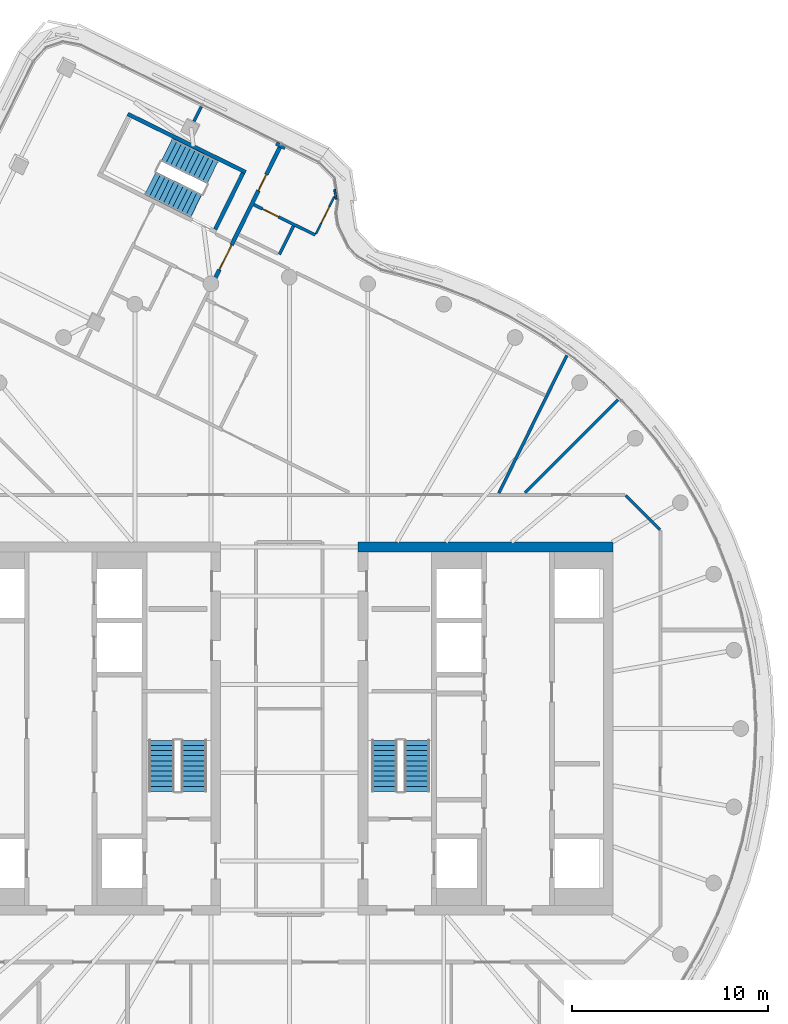
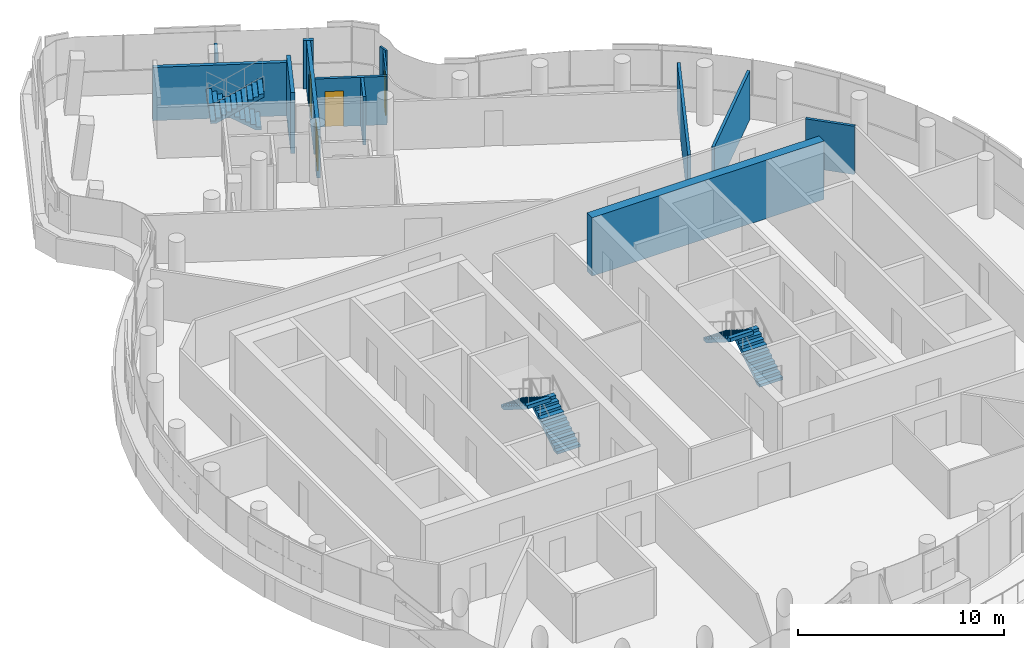
# One storey, part 16 of 21: 13 walls, 6 stair flights, 4 doors, 4 openings, 3 elements without a shape of their own.
"""IFC4 building model written with IfcOpenShell, lengths in metres."""

from ifc_helpers import new_model, si_unit, direction, frame, frame_2d, origin, place, context, subcontext, project, spatial, polyline, rectangle, outline, extrude, material, layer, layer_set, type_object, element, fill, aggregate, save


model = new_model("IFC4")

# Units and contexts
model_context = context("Model", 3, precision=1e-05, world=origin(), true_north=direction((0.0, 1.0)))
body_context = subcontext(model_context, "Body", "Model", "MODEL_VIEW")
ifc_project = project(units=[si_unit("LENGTHUNIT", "METRE"), si_unit("AREAUNIT", "SQUARE_METRE"), si_unit("VOLUMEUNIT", "CUBIC_METRE"), si_unit("PLANEANGLEUNIT", "RADIAN"), si_unit("MASSUNIT", "GRAM", prefix="KILO")], contexts=[model_context])

# Site, building, storey
site_placement = place(None, origin())
site = spatial("IfcSite", under=ifc_project, at=site_placement, CompositionType="ELEMENT")
building_placement = place(site_placement, origin())
building = spatial("IfcBuilding", under=site, at=building_placement, Name="Tamarind Cross Interchange Tower", CompositionType="ELEMENT")
storey_placement = place(building_placement, frame((0.0, 0.0, 264.0)))
storey = spatial("IfcBuildingStorey", under=building, at=storey_placement, Name="L67", CompositionType="ELEMENT", Elevation=264.0)

# Wall
ifc_material_1 = material(Name="Concrete C50", Category="concrete")
ifc_layer_1 = layer(ifc_material_1, 0.5)
ifc_layer_set_1 = layer_set([ifc_layer_1], Name="Concrete C50")
wall_type_1 = type_object("IfcWallType", Name="Core wall 500 mm Concrete C50", PredefinedType="SHEAR", material=ifc_layer_set_1)
wall_1_placement = place(storey_placement, frame((16.5, 9.25, 0.0), z_axis=(0.0, 0.0, 1.0), x_axis=(-1.0, 0.0, 0.0)))
element("IfcWall", 1, at=wall_1_placement, inside=storey, type_object=wall_type_1, Name="Core wall CWL-L67-E-NE", PredefinedType="SHEAR", context=body_context, shape_type="SweptSolid", body=[
    extrude(rectangle(XDim=13.0, YDim=0.5, at=frame_2d((6.5, 0.0))), origin(), (0.0, 0.0, 1.0), 3.4599609375),
])

# Wall, opening, door
ifc_material_2 = material(Name="Gypsum board partition on steel studs", Category="steel")
ifc_layer_2 = layer(ifc_material_2, 0.10009765625)
ifc_layer_set_2 = layer_set([ifc_layer_2], Name="Gypsum board partition on steel studs")
wall_type_2 = type_object("IfcWallType", Name="Partition 100 mm EI 90", PredefinedType="PARTITIONING", material=ifc_layer_set_2)
wall_2_placement = place(storey_placement, frame((1.358154296875, 25.204345703125, 0.0), z_axis=(0.0, 0.0, 1.0), x_axis=(0.442491171614, 0.896772860341, 0.0)))
wall_2 = element("IfcWall", 2, at=wall_2_placement, inside=storey, type_object=wall_type_2, Name="Partition L67-037", PredefinedType="PARTITIONING", context=body_context, shape_type="SweptSolid", body=[
    extrude(rectangle(XDim=2.112060546875, YDim=0.10009765625, at=frame_2d((1.05615234375, 0.0))), origin(), (0.0, 0.0, 1.0), 2.864013671875),
])
opening_1_placement = place(wall_2_placement, frame((0.625, 0.0, 0.0)))
opening_1 = element("IfcOpeningElement", 3, at=opening_1_placement, cuts=wall_2, Name="Opening D19", PredefinedType="OPENING", context=body_context, shape_type="SweptSolid", body=[
    extrude(rectangle(XDim=0.89990234375, YDim=2.10009765625, at=frame_2d((0.449951171875, 1.050048828125))), frame((0.0, 0.06005859375, 0.0), z_axis=(0.0, -1.0, 0.0), x_axis=(1.0, 0.0, 0.0)), (0.0, 0.0, 1.0), 0.1201171875),
])
ifc_material_3 = material(Name="Fire-resisting door set")
door_type_1 = type_object("IfcDoorType", Name="Interior door 900 x 2100 FD60S", OperationType="SINGLE_SWING_LEFT", PredefinedType="DOOR", material=ifc_material_3)
door_1_placement = place(opening_1_placement, origin())
door_1 = element("IfcDoor", 4, at=door_1_placement, inside=storey, type_object=door_type_1, Name="Door D19", OperationType="SINGLE_SWING_LEFT", OverallHeight=2.10009765625, OverallWidth=0.89990234375, PredefinedType="DOOR", context=body_context, shape_type="SweptSolid", body=[
    extrude(rectangle(XDim=0.89990234375, YDim=2.10009765625, at=frame_2d((0.449951171875, 1.050048828125))), frame((0.0, 0.02490234375, 0.0), z_axis=(0.0, -1.0, 0.0), x_axis=(1.0, 0.0, 0.0)), (0.0, 0.0, 1.0), 0.050048828125),
])
fill(opening_1, door_1)

# Walls
wall_3_placement = place(storey_placement, frame((2.388427734375, 26.9638671875, 0.0), z_axis=(0.0, 0.0, 1.0), x_axis=(-0.161151313498, 0.98692971085, 0.0)))
element("IfcWall", 5, at=wall_3_placement, inside=storey, type_object=wall_type_2, Name="Partition L67-050", PredefinedType="PARTITIONING", context=body_context, shape_type="SweptSolid", body=[
    extrude(rectangle(XDim=0.5, YDim=0.10009765625, at=frame_2d((0.25, 0.0))), origin(), (0.0, 0.0, 1.0), 2.864013671875),
])
ifc_layer_3 = layer(ifc_material_2, 0.14990234375)
ifc_layer_set_3 = layer_set([ifc_layer_3], Name="Gypsum board partition on steel studs")
wall_type_3 = type_object("IfcWallType", Name="Partition 150 mm EI 120", PredefinedType="PARTITIONING", material=ifc_layer_set_3)
wall_4_placement = place(storey_placement, frame((17.12841796875, 11.87158203125, 0.0), z_axis=(0.0, 0.0, 1.0), x_axis=(0.707106781187, -0.707106781187, 0.0)))
element("IfcWall", 6, at=wall_4_placement, inside=storey, type_object=wall_type_3, Name="Partition L67-004", PredefinedType="PARTITIONING", context=body_context, shape_type="SweptSolid", body=[
    extrude(rectangle(XDim=2.465087890625, YDim=0.14990234375, at=frame_2d((1.232421875, 0.0))), origin(), (0.0, 0.0, 1.0), 2.864013671875),
])

# Wall, opening, door
wall_5_placement = place(storey_placement, frame((-1.808837890625, 26.6845703125, 0.0), z_axis=(0.0, 0.0, 1.0), x_axis=(0.896582193995, -0.44287737514, 0.0)))
wall_5 = element("IfcWall", 7, at=wall_5_placement, inside=storey, type_object=wall_type_3, Name="Partition L67-015", PredefinedType="PARTITIONING", context=body_context, shape_type="SweptSolid", body=[
    extrude(rectangle(XDim=3.494873046875, YDim=0.14990234375, at=frame_2d((1.74755859375, 0.0))), origin(), (0.0, 0.0, 1.0), 2.864013671875),
])
opening_2_placement = place(wall_5_placement, frame((0.4951171875, 0.0, 0.0)))
opening_2 = element("IfcOpeningElement", 8, at=opening_2_placement, cuts=wall_5, Name="Opening D05", PredefinedType="OPENING", context=body_context, shape_type="SweptSolid", body=[
    extrude(rectangle(XDim=0.89990234375, YDim=2.10009765625, at=frame_2d((0.449951171875, 1.050048828125))), frame((0.0, 0.0849609375, 0.0), z_axis=(0.0, -1.0, 0.0), x_axis=(1.0, 0.0, 0.0)), (0.0, 0.0, 1.0), 0.169921875),
])
door_2_placement = place(opening_2_placement, frame((0.89990234375, 0.0, 0.0), z_axis=(0.0, 0.0, 1.0), x_axis=(-1.0, 0.0, 0.0)))
door_2 = element("IfcDoor", 9, at=door_2_placement, inside=storey, type_object=door_type_1, Name="Door D05", OperationType="SINGLE_SWING_LEFT", OverallHeight=2.10009765625, OverallWidth=0.89990234375, PredefinedType="DOOR", context=body_context, shape_type="SweptSolid", body=[
    extrude(rectangle(XDim=0.89990234375, YDim=2.10009765625, at=frame_2d((0.449951171875, 1.050048828125))), frame((0.0, 0.02490234375, 0.0), z_axis=(0.0, -1.0, 0.0), x_axis=(1.0, 0.0, 0.0)), (0.0, 0.0, 1.0), 0.050048828125),
])
fill(opening_2, door_2)

# Walls
wall_6_placement = place(storey_placement, frame((12.009521484375, 12.009521484375, 0.0), z_axis=(0.0, 0.0, 1.0), x_axis=(0.707106781187, 0.707106781187, 0.0)))
element("IfcWall", 10, at=wall_6_placement, inside=storey, type_object=wall_type_3, Name="Partition L67-028", PredefinedType="PARTITIONING", context=body_context, shape_type="SweptSolid", body=[
    extrude(rectangle(XDim=6.690673828125, YDim=0.14990234375, at=frame_2d((3.34521484375, 0.0))), origin(), (0.0, 0.0, 1.0), 2.864013671875),
])
wall_7_placement = place(storey_placement, frame((-4.85791015625, 30.917236328125, 0.0), z_axis=(0.0, 0.0, 1.0), x_axis=(0.442510232484, 0.896763454957, 0.0)))
element("IfcWall", 11, at=wall_7_placement, inside=storey, type_object=wall_type_3, Name="Partition L67-032", PredefinedType="PARTITIONING", context=body_context, shape_type="SweptSolid", body=[
    extrude(rectangle(XDim=0.852294921875, YDim=0.14990234375, at=frame_2d((0.42626953125, 0.0))), origin(), (0.0, 0.0, 1.0), 2.864013671875),
])
wall_8_placement = place(storey_placement, frame((-0.504150390625, 24.14453125, 0.0), z_axis=(0.0, 0.0, 1.0), x_axis=(0.442337199673, 0.896848817686, 0.0)))
element("IfcWall", 12, at=wall_8_placement, inside=storey, type_object=wall_type_3, Name="Partition L67-039", PredefinedType="PARTITIONING", context=body_context, shape_type="SweptSolid", body=[
    extrude(rectangle(XDim=1.624267578125, YDim=0.14990234375, at=frame_2d((0.81201171875, 0.0))), origin(), (0.0, 0.0, 1.0), 2.864013671875),
])
wall_9_placement = place(storey_placement, frame((10.67236328125, 11.98974609375, 0.0), z_axis=(0.0, 0.0, 1.0), x_axis=(0.442549118131, 0.896744265686, 0.0)))
element("IfcWall", 13, at=wall_9_placement, inside=storey, type_object=wall_type_3, Name="Partition L67-040", PredefinedType="PARTITIONING", context=body_context, shape_type="SweptSolid", body=[
    extrude(rectangle(XDim=7.8193359375, YDim=0.14990234375, at=frame_2d((3.90966796875, 0.0))), origin(), (0.0, 0.0, 1.0), 2.864013671875),
])

# Wall, openings, doors
ifc_layer_4 = layer(ifc_material_2, 0.199951171875)
ifc_layer_set_4 = layer_set([ifc_layer_4], Name="Gypsum board partition on steel studs")
wall_type_4 = type_object("IfcWallType", Name="Partition 200 mm EI 180", PredefinedType="PARTITIONING", material=ifc_layer_set_4)
wall_10_placement = place(storey_placement, frame((-3.830810546875, 22.823486328125, 0.0), z_axis=(0.0, 0.0, 1.0), x_axis=(0.442502887837, 0.896767079155, 0.0)))
wall_10 = element("IfcWall", 14, at=wall_10_placement, inside=storey, type_object=wall_type_4, Name="Partition L67-035", PredefinedType="PARTITIONING", context=body_context, shape_type="SweptSolid", body=[
    extrude(rectangle(XDim=7.555908203125, YDim=0.199951171875, at=frame_2d((3.77783203125, 0.0))), origin(), (0.0, 0.0, 1.0), 2.864013671875),
])
opening_3_placement = place(wall_10_placement, frame((0.6171875, 0.0, 0.0)))
opening_3 = element("IfcOpeningElement", 15, at=opening_3_placement, cuts=wall_10, Name="Opening D16", PredefinedType="OPENING", context=body_context, shape_type="SweptSolid", body=[
    extrude(rectangle(XDim=1.39990234375, YDim=2.10009765625, at=frame_2d((0.699951171875, 1.050048828125))), frame((0.0, 0.10986328125, 0.0), z_axis=(0.0, -1.0, 0.0), x_axis=(1.0, 0.0, 0.0)), (0.0, 0.0, 1.0), 0.219970703125),
])
opening_4_placement = place(wall_10_placement, frame((5.107177734375, 0.0, 0.0)))
opening_4 = element("IfcOpeningElement", 16, at=opening_4_placement, cuts=wall_10, Name="Opening D17", PredefinedType="OPENING", context=body_context, shape_type="SweptSolid", body=[
    extrude(rectangle(XDim=0.89990234375, YDim=2.10009765625, at=frame_2d((0.449951171875, 1.050048828125))), frame((0.0, 0.10986328125, 0.0), z_axis=(0.0, -1.0, 0.0), x_axis=(1.0, 0.0, 0.0)), (0.0, 0.0, 1.0), 0.219970703125),
])
door_type_2 = type_object("IfcDoorType", Name="Interior door 1400 x 2100 FD120S", OperationType="DOUBLE_DOOR_SINGLE_SWING", PredefinedType="DOOR", material=ifc_material_3)
door_3_placement = place(opening_3_placement, frame((1.39990234375, 0.0, 0.0), z_axis=(0.0, 0.0, 1.0), x_axis=(-1.0, 0.0, 0.0)))
door_3 = element("IfcDoor", 17, at=door_3_placement, inside=storey, type_object=door_type_2, Name="Door D16", OperationType="DOUBLE_DOOR_SINGLE_SWING", OverallHeight=2.10009765625, OverallWidth=1.39990234375, PredefinedType="DOOR", context=body_context, shape_type="SweptSolid", body=[
    extrude(rectangle(XDim=1.39990234375, YDim=2.10009765625, at=frame_2d((0.699951171875, 1.050048828125))), frame((0.0, 0.02490234375, 0.0), z_axis=(0.0, -1.0, 0.0), x_axis=(1.0, 0.0, 0.0)), (0.0, 0.0, 1.0), 0.050048828125),
])
fill(opening_3, door_3)
door_type_3 = type_object("IfcDoorType", Name="Interior door 900 x 2100 FD120S", OperationType="SINGLE_SWING_LEFT", PredefinedType="DOOR", material=ifc_material_3)
door_4_placement = place(opening_4_placement, origin())
door_4 = element("IfcDoor", 18, at=door_4_placement, inside=storey, type_object=door_type_3, Name="Door D17", OperationType="SINGLE_SWING_LEFT", OverallHeight=2.10009765625, OverallWidth=0.89990234375, PredefinedType="DOOR", context=body_context, shape_type="SweptSolid", body=[
    extrude(rectangle(XDim=0.89990234375, YDim=2.10009765625, at=frame_2d((0.449951171875, 1.050048828125))), frame((0.0, 0.02490234375, 0.0), z_axis=(0.0, -1.0, 0.0), x_axis=(1.0, 0.0, 0.0)), (0.0, 0.0, 1.0), 0.050048828125),
])
fill(opening_4, door_4)

# Walls
wall_11_placement = place(storey_placement, frame((-0.21875, 29.578369140625, 0.0), z_axis=(0.0, 0.0, 1.0), x_axis=(-0.89675936923, 0.442518512267, 0.0)))
element("IfcWall", 19, at=wall_11_placement, inside=storey, type_object=wall_type_4, Name="Partition L67-051", PredefinedType="PARTITIONING", context=body_context, shape_type="SweptSolid", body=[
    extrude(rectangle(XDim=0.499755859375, YDim=0.199951171875, at=frame_2d((0.25, 0.0))), origin(), (0.0, 0.0, 1.0), 2.864013671875),
])
ifc_material_4 = material(Name="Concrete C40", Category="concrete")
ifc_layer_5 = layer(ifc_material_4, 0.199951171875)
ifc_layer_set_5 = layer_set([ifc_layer_5], Name="Concrete C40")
wall_type_5 = type_object("IfcWallType", Name="Stair shaft wall 200 mm Concrete C40", PredefinedType="SHEAR", material=ifc_layer_set_5)
wall_12_placement = place(storey_placement, frame((-2.224365234375, 28.339111328125, -0.139892578125), z_axis=(0.0, 0.0, 1.0), x_axis=(-0.896739946081, 0.442557870907, 0.0)))
element("IfcWall", 20, at=wall_12_placement, inside=storey, type_object=wall_type_5, Name="Core wall CWL-L67-ST4-C", PredefinedType="SHEAR", context=body_context, shape_type="SweptSolid", body=[
    extrude(rectangle(XDim=6.699951171875, YDim=0.199951171875, at=frame_2d((3.35009765625, 0.0))), origin(), (0.0, 0.0, 1.0), 3.15380859375),
])
wall_13_placement = place(storey_placement, frame((-2.3583984375, 28.29345703125, -0.139892578125), z_axis=(0.0, 0.0, 1.0), x_axis=(-0.442537962391, -0.89674977103, 0.0)))
element("IfcWall", 21, at=wall_13_placement, inside=storey, type_object=wall_type_5, Name="Core wall CWL-L67-ST4-CE", PredefinedType="SHEAR", context=body_context, shape_type="SweptSolid", body=[
    extrude(rectangle(XDim=3.19970703125, YDim=0.199951171875, at=frame_2d((1.599853515625, 0.0))), origin(), (0.0, 0.0, 1.0), 3.599853515625),
])

# Stair, stair flights
ifc_material_5 = material(Name="Exit stair")
stair_type = type_object("IfcStairType", Name="Exit stair", PredefinedType="HALF_TURN_STAIR", material=ifc_material_5)
stair_1_placement = place(storey_placement, origin())
stair_1 = element("IfcStair", 22, at=stair_1_placement, inside=storey, type_object=stair_type, Name="L67 exit stair ST1", PredefinedType="HALF_TURN_STAIR")
ifc_material_6 = material(Name="Exit stair flight")
stair_flight_type = type_object("IfcStairFlightType", Name="Exit stair flight", PredefinedType="STRAIGHT", material=ifc_material_6)
stair_flight_1_placement = place(storey_placement, frame((-4.85009765625, -3.199951171875, 0.0), z_axis=(0.0, 0.0, 1.0), x_axis=(0.0, 1.0, 0.0)))
stair_flight_1 = element("IfcStairFlight", 23, at=stair_flight_1_placement, type_object=stair_flight_type, Name="ST1 flight 1", NumberOfRisers=11, NumberOfTreads=10, PredefinedType="STRAIGHT", RiserHeight=0.163636364, TreadLength=0.26, context=body_context, shape_type="SweptSolid", body=[
    extrude(outline(polyline([(0.0, 0.0), (0.0, 0.16357421875), (0.260009765625, 0.16357421875), (0.260009765625, 0.327392578125), (0.52001953125, 0.327392578125), (0.52001953125, 0.490966796875), (0.780029296875, 0.490966796875), (0.780029296875, 0.654541015625), (1.0400390625, 0.654541015625), (1.0400390625, 0.818115234375), (1.300048828125, 0.818115234375), (1.300048828125, 0.98193359375), (1.56005859375, 0.98193359375), (1.56005859375, 1.1455078125), (1.820068359375, 1.1455078125), (1.820068359375, 1.30908203125), (2.080078125, 1.30908203125), (2.080078125, 1.47265625), (2.340087890625, 1.47265625), (2.340087890625, 1.636474609375), (2.60009765625, 1.636474609375), (2.60009765625, 1.800048828125), (2.60009765625, 1.459228515625), (0.281494140625, 0.0), (0.0, 0.0)])), frame((0.0, 0.64990234375, 0.0), z_axis=(0.0, -1.0, 0.0), x_axis=(1.0, 0.0, 0.0)), (0.0, 0.0, 1.0), 1.300048828125),
])
stair_flight_2_placement = place(storey_placement, frame((-6.5, -0.60009765625, 1.800048828125), z_axis=(0.0, 0.0, 1.0), x_axis=(0.0, -1.0, 0.0)))
stair_flight_2 = element("IfcStairFlight", 24, at=stair_flight_2_placement, type_object=stair_flight_type, Name="ST1 flight 2", NumberOfRisers=11, NumberOfTreads=10, PredefinedType="STRAIGHT", RiserHeight=0.163636364, TreadLength=0.26, context=body_context, shape_type="SweptSolid", body=[
    extrude(outline(polyline([(0.0, 0.0), (0.0, 0.16357421875), (0.260009765625, 0.16357421875), (0.260009765625, 0.327392578125), (0.52001953125, 0.327392578125), (0.52001953125, 0.490966796875), (0.780029296875, 0.490966796875), (0.780029296875, 0.654541015625), (1.0400390625, 0.654541015625), (1.0400390625, 0.818115234375), (1.300048828125, 0.818115234375), (1.300048828125, 0.98193359375), (1.56005859375, 0.98193359375), (1.56005859375, 1.1455078125), (1.820068359375, 1.1455078125), (1.820068359375, 1.30908203125), (2.080078125, 1.30908203125), (2.080078125, 1.47265625), (2.340087890625, 1.47265625), (2.340087890625, 1.636474609375), (2.60009765625, 1.636474609375), (2.60009765625, 1.679931640625), (2.612060546875, 1.679931640625), (2.612060546875, 1.466796875), (0.281494140625, 0.0), (0.0, 0.0)])), frame((0.0, 0.64990234375, 0.0), z_axis=(0.0, -1.0, 0.0), x_axis=(1.0, 0.0, 0.0)), (0.0, 0.0, 1.0), 1.300048828125),
])
aggregate(stair_1, [stair_flight_1, stair_flight_2])

stair_2_placement = place(storey_placement, origin())
stair_2 = element("IfcStair", 25, at=stair_2_placement, inside=storey, type_object=stair_type, Name="L67 exit stair ST2", PredefinedType="HALF_TURN_STAIR")
stair_flight_3_placement = place(storey_placement, frame((6.5, -3.199951171875, 0.0), z_axis=(0.0, 0.0, 1.0), x_axis=(0.0, 1.0, 0.0)))
stair_flight_3 = element("IfcStairFlight", 26, at=stair_flight_3_placement, type_object=stair_flight_type, Name="ST2 flight 1", NumberOfRisers=11, NumberOfTreads=10, PredefinedType="STRAIGHT", RiserHeight=0.163636364, TreadLength=0.26, context=body_context, shape_type="SweptSolid", body=[
    extrude(outline(polyline([(0.0, 0.0), (0.0, 0.16357421875), (0.260009765625, 0.16357421875), (0.260009765625, 0.327392578125), (0.52001953125, 0.327392578125), (0.52001953125, 0.490966796875), (0.780029296875, 0.490966796875), (0.780029296875, 0.654541015625), (1.0400390625, 0.654541015625), (1.0400390625, 0.818115234375), (1.300048828125, 0.818115234375), (1.300048828125, 0.98193359375), (1.56005859375, 0.98193359375), (1.56005859375, 1.1455078125), (1.820068359375, 1.1455078125), (1.820068359375, 1.30908203125), (2.080078125, 1.30908203125), (2.080078125, 1.47265625), (2.340087890625, 1.47265625), (2.340087890625, 1.636474609375), (2.60009765625, 1.636474609375), (2.60009765625, 1.800048828125), (2.60009765625, 1.459228515625), (0.281494140625, 0.0), (0.0, 0.0)])), frame((0.0, 0.64990234375, 0.0), z_axis=(0.0, -1.0, 0.0), x_axis=(1.0, 0.0, 0.0)), (0.0, 0.0, 1.0), 1.300048828125),
])
stair_flight_4_placement = place(storey_placement, frame((4.85009765625, -0.60009765625, 1.800048828125), z_axis=(0.0, 0.0, 1.0), x_axis=(0.0, -1.0, 0.0)))
stair_flight_4 = element("IfcStairFlight", 27, at=stair_flight_4_placement, type_object=stair_flight_type, Name="ST2 flight 2", NumberOfRisers=11, NumberOfTreads=10, PredefinedType="STRAIGHT", RiserHeight=0.163636364, TreadLength=0.26, context=body_context, shape_type="SweptSolid", body=[
    extrude(outline(polyline([(0.0, 0.0), (0.0, 0.16357421875), (0.260009765625, 0.16357421875), (0.260009765625, 0.327392578125), (0.52001953125, 0.327392578125), (0.52001953125, 0.490966796875), (0.780029296875, 0.490966796875), (0.780029296875, 0.654541015625), (1.0400390625, 0.654541015625), (1.0400390625, 0.818115234375), (1.300048828125, 0.818115234375), (1.300048828125, 0.98193359375), (1.56005859375, 0.98193359375), (1.56005859375, 1.1455078125), (1.820068359375, 1.1455078125), (1.820068359375, 1.30908203125), (2.080078125, 1.30908203125), (2.080078125, 1.47265625), (2.340087890625, 1.47265625), (2.340087890625, 1.636474609375), (2.60009765625, 1.636474609375), (2.60009765625, 1.679931640625), (2.612060546875, 1.679931640625), (2.612060546875, 1.466796875), (0.281494140625, 0.0), (0.0, 0.0)])), frame((0.0, 0.64990234375, 0.0), z_axis=(0.0, -1.0, 0.0), x_axis=(1.0, 0.0, 0.0)), (0.0, 0.0, 1.0), 1.300048828125),
])
aggregate(stair_2, [stair_flight_3, stair_flight_4])

stair_3_placement = place(storey_placement, origin())
stair_3 = element("IfcStair", 28, at=stair_3_placement, inside=storey, type_object=stair_type, Name="L67 exit stair ST4", PredefinedType="HALF_TURN_STAIR")
stair_flight_5_placement = place(storey_placement, frame((-3.9013671875, 28.330322265625, 0.0), z_axis=(0.0, 0.0, 1.0), x_axis=(-0.896739927548, 0.442557908462, 0.0)))
stair_flight_5 = element("IfcStairFlight", 29, at=stair_flight_5_placement, type_object=stair_flight_type, Name="ST4 flight 1", NumberOfRisers=11, NumberOfTreads=10, PredefinedType="STRAIGHT", RiserHeight=0.163636364, TreadLength=0.26, context=body_context, shape_type="SweptSolid", body=[
    extrude(outline(polyline([(0.0, 0.0), (0.0, 0.16357421875), (0.260009765625, 0.16357421875), (0.260009765625, 0.327392578125), (0.52001953125, 0.327392578125), (0.52001953125, 0.490966796875), (0.780029296875, 0.490966796875), (0.780029296875, 0.654541015625), (1.0400390625, 0.654541015625), (1.0400390625, 0.818115234375), (1.300048828125, 0.818115234375), (1.300048828125, 0.98193359375), (1.56005859375, 0.98193359375), (1.56005859375, 1.1455078125), (1.820068359375, 1.1455078125), (1.820068359375, 1.30908203125), (2.080078125, 1.30908203125), (2.080078125, 1.47265625), (2.340087890625, 1.47265625), (2.340087890625, 1.636474609375), (2.60009765625, 1.636474609375), (2.60009765625, 1.800048828125), (2.60009765625, 1.459228515625), (0.281494140625, 0.0), (0.0, 0.0)])), frame((0.0, 0.64990234375, 0.0), z_axis=(0.0, -1.0, 0.0), x_axis=(1.0, 0.0, 0.0)), (0.0, 0.0, 1.0), 1.300048828125),
])
stair_flight_6_placement = place(storey_placement, frame((-7.07373046875, 27.777099609375, 1.800048828125), z_axis=(0.0, 0.0, 1.0), x_axis=(0.896739927548, -0.442557908462, 0.0)))
stair_flight_6 = element("IfcStairFlight", 30, at=stair_flight_6_placement, type_object=stair_flight_type, Name="ST4 flight 2", NumberOfRisers=11, NumberOfTreads=10, PredefinedType="STRAIGHT", RiserHeight=0.163636364, TreadLength=0.26, context=body_context, shape_type="SweptSolid", body=[
    extrude(outline(polyline([(0.0, 0.0), (0.0, 0.16357421875), (0.260009765625, 0.16357421875), (0.260009765625, 0.327392578125), (0.52001953125, 0.327392578125), (0.52001953125, 0.490966796875), (0.780029296875, 0.490966796875), (0.780029296875, 0.654541015625), (1.0400390625, 0.654541015625), (1.0400390625, 0.818115234375), (1.300048828125, 0.818115234375), (1.300048828125, 0.98193359375), (1.56005859375, 0.98193359375), (1.56005859375, 1.1455078125), (1.820068359375, 1.1455078125), (1.820068359375, 1.30908203125), (2.080078125, 1.30908203125), (2.080078125, 1.47265625), (2.340087890625, 1.47265625), (2.340087890625, 1.636474609375), (2.60009765625, 1.636474609375), (2.60009765625, 1.679931640625), (2.612060546875, 1.679931640625), (2.612060546875, 1.466796875), (0.281494140625, 0.0), (0.0, 0.0)])), frame((0.0, 0.64990234375, 0.0), z_axis=(0.0, -1.0, 0.0), x_axis=(1.0, 0.0, 0.0)), (0.0, 0.0, 1.0), 1.300048828125),
])
aggregate(stair_3, [stair_flight_5, stair_flight_6])

save(model, "model.ifc")
